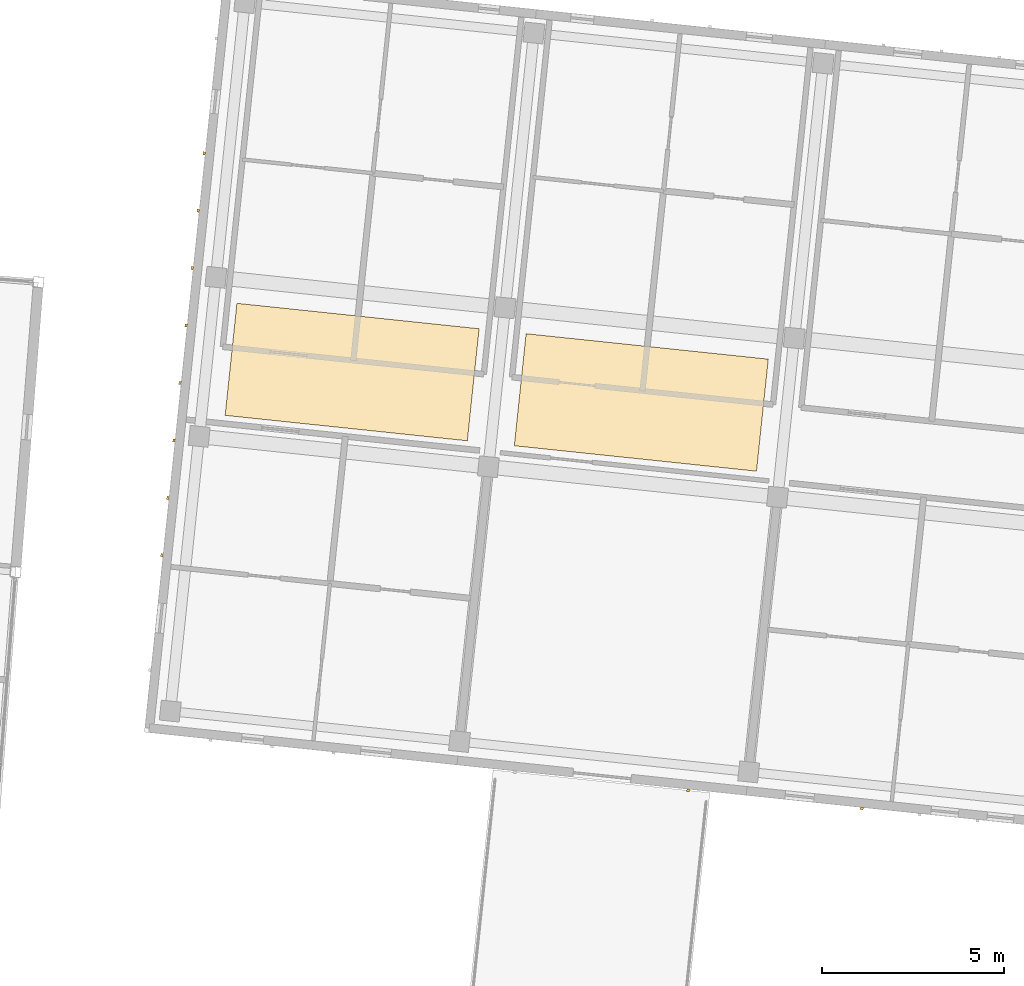
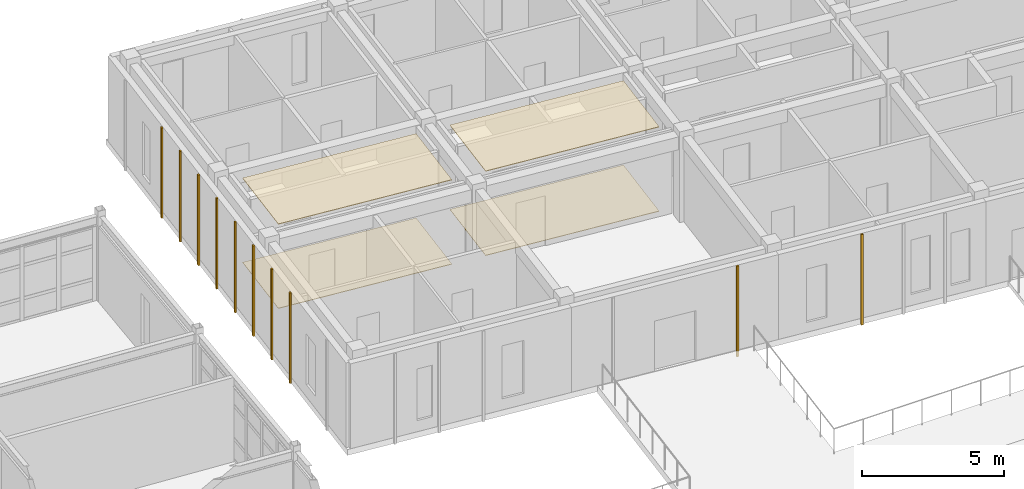
# One storey, part 139 of 150: 14 coverings.
"""IFC4 building model written with IfcOpenShell, lengths in metres."""

from ifc_helpers import new_model, si_unit, direction, frame, origin, origin_2d, place, context, subcontext, project, spatial, polyline, rectangle, outline, extrude, material, layer, layer_set, type_object, element, save


model = new_model("IFC4")

# Units and contexts
model_context = context("Model", 3, precision=1e-05, world=origin(), true_north=direction((0.0, 1.0)))
body_context = subcontext(model_context, "Body", "Model", "MODEL_VIEW")
ifc_project = project(units=[si_unit("LENGTHUNIT", "METRE"), si_unit("AREAUNIT", "SQUARE_METRE"), si_unit("VOLUMEUNIT", "CUBIC_METRE"), si_unit("PLANEANGLEUNIT", "RADIAN"), si_unit("MASSUNIT", "GRAM", prefix="KILO")], contexts=[model_context])

# Site, building, storey
site_placement = place(None, origin())
site = spatial("IfcSite", under=ifc_project, at=site_placement, CompositionType="ELEMENT")
building_placement = place(site_placement, origin())
building = spatial("IfcBuilding", under=site, at=building_placement, Name="Kestramere Prow Commons", CompositionType="ELEMENT")
storey_placement = place(building_placement, frame((0.0, 0.0, 4.5)))
storey = spatial("IfcBuildingStorey", under=building, at=storey_placement, Name="L01", CompositionType="ELEMENT", Elevation=4.5)

# Coverings
ifc_material_1 = material(Name="Mineral Fibre Acoustic Ceiling Tile")
ifc_layer_1 = layer(ifc_material_1, 0.02490234375)
ifc_layer_set_1 = layer_set([ifc_layer_1], Name="Mineral Fibre Acoustic Ceiling Tile")
covering_type_1 = type_object("IfcCoveringType", Name="COV-CEIL-ACOUSTIC", PredefinedType="CEILING", material=ifc_layer_set_1)
covering_1_placement = place(storey_placement, frame((0.0, 0.0, 3.625)))
element("IfcCovering", 1, at=covering_1_placement, inside=storey, type_object=covering_type_1, Name="Block B L01 Corridor Acoustic Ceiling 1", PredefinedType="CEILING", context=body_context, shape_type="SweptSolid", body=[
    extrude(outline(polyline([(111.5087890625, 102.936767578125), (118.172119140625, 102.236572265625), (118.49609375, 105.319580078125), (111.832763671875, 106.019775390625), (111.5087890625, 102.936767578125)])), origin(), (0.0, 0.0, 1.0), 0.02490234375),
])
covering_2_placement = place(storey_placement, frame((0.0, 0.0, 3.625)))
element("IfcCovering", 2, at=covering_2_placement, inside=storey, type_object=covering_type_1, Name="Block B L01 Corridor Acoustic Ceiling 2", PredefinedType="CEILING", context=body_context, shape_type="SweptSolid", body=[
    extrude(outline(polyline([(119.465087890625, 102.1005859375), (126.128173828125, 101.400390625), (126.452392578125, 104.4833984375), (119.7890625, 105.18359375), (119.465087890625, 102.1005859375)])), origin(), (0.0, 0.0, 1.0), 0.02490234375),
])
ifc_material_2 = material(Name="Weathered Zinc-Titanium Standing-Seam Cladding")
ifc_layer_2 = layer(ifc_material_2, 0.074951171875)
ifc_layer_set_2 = layer_set([ifc_layer_2], Name="Weathered Zinc-Titanium Standing-Seam Cladding")
covering_type_2 = type_object("IfcCoveringType", Name="COV-CLAD-SEAM", PredefinedType="CLADDING", material=ifc_layer_set_2)
for number, where, z_axis, x_axis, name in (
    (3, (124.250244140625, 92.62109375, -0.25), (0.0, 0.0, 1.0), (-0.994521895368, 0.104528463268, 0.0), "EW-B-L01-S-1 Standing-Seam Rib 1"),
    (4, (129.02392578125, 92.119384765625, -0.25), (0.0, 0.0, 1.0), (-0.994521895368, 0.104528463268, 0.0), "EW-B-L01-S-2 Standing-Seam Rib 3"),
    (5, (109.76953125, 99.087890625, -0.25), (0.0, 0.0, 1.0), (0.104528463268, 0.994521895368, 0.0), "EW-B-L01-EAV Standing-Seam Rib 3"),
    (6, (109.935546875, 100.667724609375, -0.25), (0.0, 0.0, 1.0), (0.104528463268, 0.994521895368, 0.0), "EW-B-L01-EAV Standing-Seam Rib 4"),
    (7, (110.1015625, 102.24755859375, -0.25), (0.0, 0.0, 1.0), (0.104528463268, 0.994521895368, 0.0), "EW-B-L01-EAV Standing-Seam Rib 5"),
    (8, (110.267578125, 103.8271484375, -0.25), (0.0, 0.0, 1.0), (0.104528463268, 0.994521895368, 0.0), "EW-B-L01-EAV Standing-Seam Rib 6"),
    (9, (110.43359375, 105.406982421875, -0.25), (0.0, 0.0, 1.0), (0.104528463268, 0.994521895368, 0.0), "EW-B-L01-EAV Standing-Seam Rib 7"),
    (10, (110.599609375, 106.98681640625, -0.25), (0.0, 0.0, 1.0), (0.104528463268, 0.994521895368, 0.0), "EW-B-L01-EAV Standing-Seam Rib 8"),
    (11, (110.765625, 108.566650390625, -0.25), (0.0, 0.0, 1.0), (0.104528463268, 0.994521895368, 0.0), "EW-B-L01-EAV Standing-Seam Rib 9"),
    (12, (110.931640625, 110.146240234375, -0.25), (0.0, 0.0, 1.0), (0.104528463268, 0.994521895368, 0.0), "EW-B-L01-EAV Standing-Seam Rib 10"),
):
    element("IfcCovering", number, at=place(storey_placement, frame(where, z_axis=z_axis, x_axis=x_axis)), inside=storey, type_object=covering_type_2, Name=name, PredefinedType="CLADDING", context=body_context, shape_type="SweptSolid", body=[
        extrude(rectangle(XDim=0.0849609375, YDim=0.06494140625, at=origin_2d()), origin(), (0.0, 0.0, 1.0), 3.89990234375),
    ])
ifc_material_3 = material(Name="Honed Cementitious Terrazzo Tile")
ifc_layer_3 = layer(ifc_material_3, 0.02001953125)
ifc_layer_set_3 = layer_set([ifc_layer_3], Name="Honed Cementitious Terrazzo Tile")
covering_type_3 = type_object("IfcCoveringType", Name="COV-FLOOR-TERRAZZO", PredefinedType="FLOORING", material=ifc_layer_set_3)
covering_3_placement = place(storey_placement, origin())
element("IfcCovering", 13, at=covering_3_placement, inside=storey, type_object=covering_type_3, Name="Block B L01 Corridor Terrazzo Flooring 1", PredefinedType="FLOORING", context=body_context, shape_type="SweptSolid", body=[
    extrude(outline(polyline([(111.5087890625, 102.936767578125), (118.172119140625, 102.236572265625), (118.49609375, 105.319580078125), (111.832763671875, 106.019775390625), (111.5087890625, 102.936767578125)])), origin(), (0.0, 0.0, 1.0), 0.02001953125),
])
covering_4_placement = place(storey_placement, origin())
element("IfcCovering", 14, at=covering_4_placement, inside=storey, type_object=covering_type_3, Name="Block B L01 Corridor Terrazzo Flooring 2", PredefinedType="FLOORING", context=body_context, shape_type="SweptSolid", body=[
    extrude(outline(polyline([(119.465087890625, 102.1005859375), (126.128173828125, 101.400390625), (126.452392578125, 104.4833984375), (119.7890625, 105.18359375), (119.465087890625, 102.1005859375)])), origin(), (0.0, 0.0, 1.0), 0.02001953125),
])

save(model, "model.ifc")
